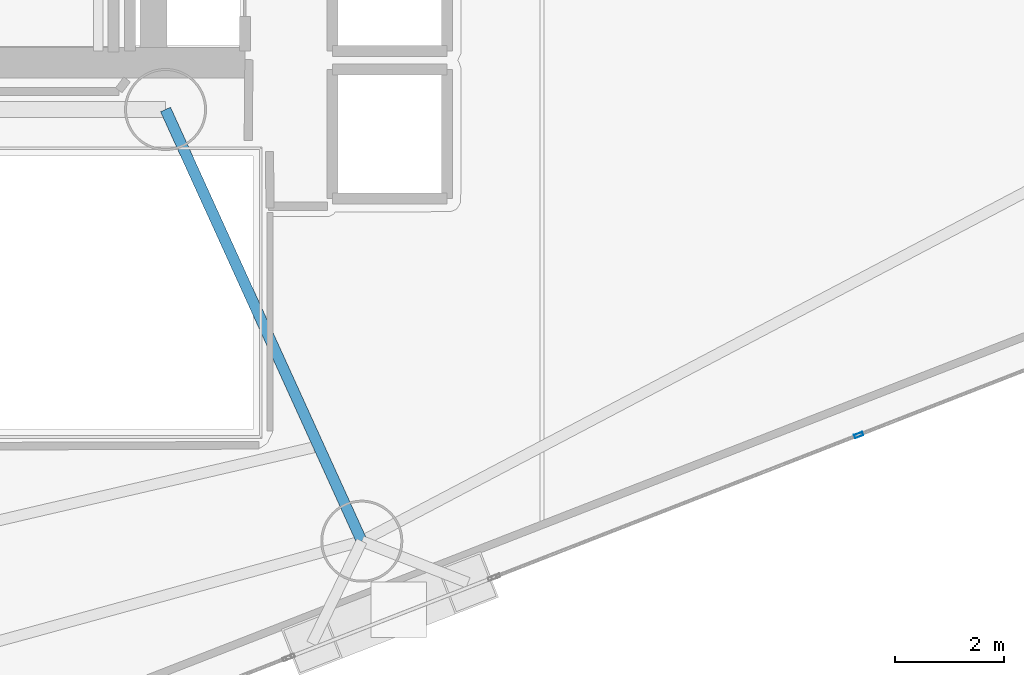
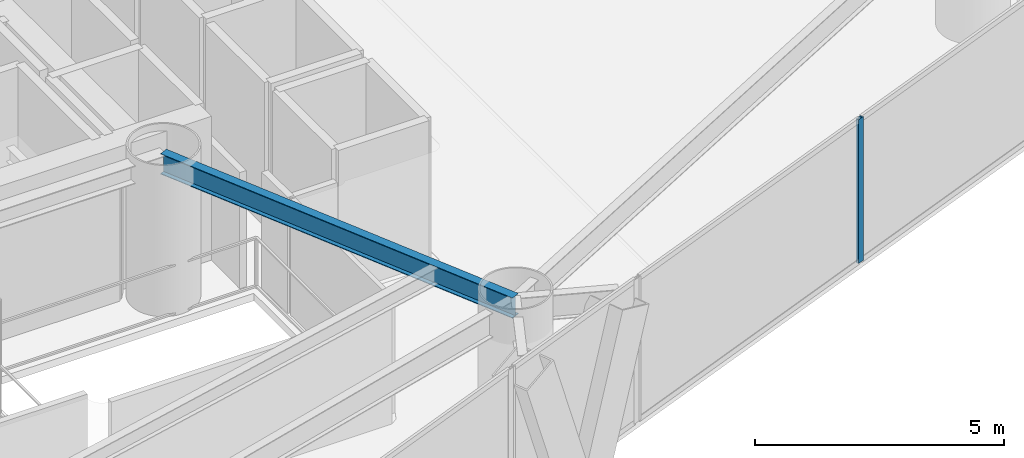
# One storey, part 5 of 21: 1 beam, 1 member, 1 element without a shape of its own.
"""IFC4 building model written with IfcOpenShell, lengths in metres."""

from ifc_helpers import new_model, si_unit, direction, frame, origin, origin_2d, place, context, subcontext, project, spatial, hollow_rectangle, i_section, extrude, material, layer, layer_set, material_profile, profile_set, type_object, element, aggregate, save


model = new_model("IFC4")

# Units and contexts
model_context = context("Model", 3, precision=1e-05, world=origin(), true_north=direction((0.0, 1.0)))
body_context = subcontext(model_context, "Body", "Model", "MODEL_VIEW")
ifc_project = project(units=[si_unit("LENGTHUNIT", "METRE"), si_unit("AREAUNIT", "SQUARE_METRE"), si_unit("VOLUMEUNIT", "CUBIC_METRE"), si_unit("PLANEANGLEUNIT", "RADIAN"), si_unit("MASSUNIT", "GRAM", prefix="KILO")], contexts=[model_context])

# Site, building, storey
site_placement = place(None, origin())
site = spatial("IfcSite", under=ifc_project, at=site_placement, CompositionType="ELEMENT")
building_placement = place(site_placement, origin())
building = spatial("IfcBuilding", under=site, at=building_placement, Name="Qianvela Tower", CompositionType="ELEMENT")
storey_placement = place(building_placement, frame((0.0, 0.0, 131.10009765625)))
storey = spatial("IfcBuildingStorey", under=building, at=storey_placement, Name="L33", CompositionType="ELEMENT", Elevation=131.10009765625)

# Beam
ifc_material_1 = material(Name="Steel Q355B", Category="steel")
ifc_material_profile_1 = material_profile(ifc_material_1, i_section(OverallWidth=0.199951171875, OverallDepth=0.5, WebThickness=0.010009765625, FlangeThickness=0.01611328125, at=origin_2d()), Name="HN500x200x10x16")
ifc_profile_set_1 = profile_set([ifc_material_profile_1], Name="Steel Q355B")
beam_type = type_object("IfcBeamType", Name="BM-HN500-GIRD", PredefinedType="BEAM", material=ifc_profile_set_1)
beam_placement = place(storey_placement, frame((38.39990234375, 23.85009765625, 3.267822265625), z_axis=(0.413839009437, -0.910350083357, 0.0), x_axis=(0.910350083357, 0.413839009437, 0.0)))
element("IfcBeam", 1, at=beam_placement, inside=storey, type_object=beam_type, Name="L33 Radial Primary Floor Girder 6", PredefinedType="BEAM", context=body_context, shape_type="SweptSolid", body=[
    extrude(i_section(OverallWidth=0.199951171875, OverallDepth=0.5, WebThickness=0.010009765625, FlangeThickness=0.01611328125, at=origin_2d()), origin(), (0.0, 0.0, 1.0), 8.67041015625),
])

# Curtain wall, member
ifc_material_2 = material(Name="Anodised Architectural Aluminium and Low-E Glass", Category="aluminium")
ifc_layer = layer(ifc_material_2, 0.169921875)
ifc_layer_set = layer_set([ifc_layer], Name="Anodised Architectural Aluminium and Low-E Glass")
curtain_wall_type = type_object("IfcCurtainWallType", Name="CW-COLIV-Z34", PredefinedType="USERDEFINED", material=ifc_layer_set)
curtain_wall_placement = place(storey_placement, origin())
curtain_wall = element("IfcCurtainWall", 2, at=curtain_wall_placement, inside=storey, type_object=curtain_wall_type, Name="L33 CW-COLIV-Z34 Curtain Wall 06C", ObjectType="CURTAIN_WALL_SYSTEM", PredefinedType="USERDEFINED")
ifc_material_3 = material(Name="Anodised Architectural Aluminium 6063-T6", Category="aluminium")
ifc_material_profile_2 = material_profile(ifc_material_3, hollow_rectangle(XDim=0.06494140625, YDim=0.159912109375, WallThickness=0.0048828125, at=origin_2d()), Name="ALU-MULL-65x160")
ifc_profile_set_2 = profile_set([ifc_material_profile_2], Name="Anodised Architectural Aluminium 6063-T6")
member_type = type_object("IfcMemberType", Name="CW-COLIV-Z34-MULL", PredefinedType="MULLION", material=ifc_profile_set_2)
member_placement = place(storey_placement, frame((51.073974609375, 17.8974609375, 0.0), z_axis=(0.0, 0.0, 1.0), x_axis=(-0.363459223587, 0.931610107711, 0.0)))
member = element("IfcMember", 3, at=member_placement, type_object=member_type, Name="CW-4 mullion 2", PredefinedType="MULLION", context=body_context, shape_type="SweptSolid", body=[
    extrude(hollow_rectangle(XDim=0.06494140625, YDim=0.159912109375, WallThickness=0.0048828125, at=origin_2d()), origin(), (0.0, 0.0, 1.0), 3.52001953125),
])
aggregate(curtain_wall, [member])

save(model, "model.ifc")
